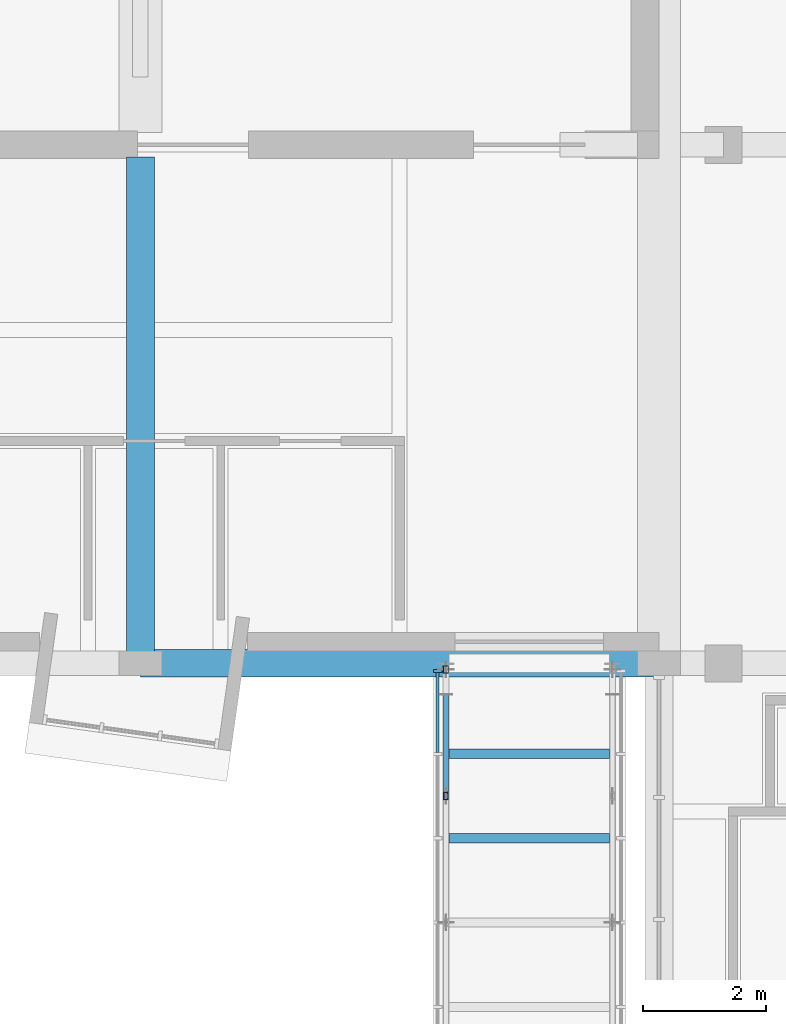
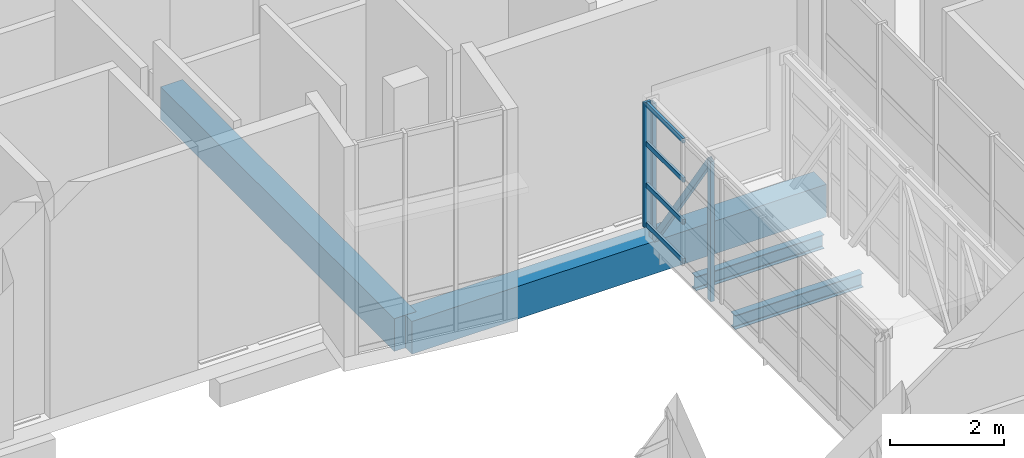
# One storey, part 13 of 67: 8 members, 4 beams, 1 element without a shape of its own.
"""IFC4 building model written with IfcOpenShell, lengths in metres."""

from ifc_helpers import new_model, si_unit, direction, frame, origin, origin_2d, place, context, subcontext, project, spatial, rectangle, hollow_rectangle, i_section, extrude, material, layer, layer_set, material_profile, profile_set, type_object, element, aggregate, save


model = new_model("IFC4")

# Units and contexts
model_context = context("Model", 3, precision=1e-05, world=origin(), true_north=direction((0.0, 1.0)))
body_context = subcontext(model_context, "Body", "Model", "MODEL_VIEW")
ifc_project = project(units=[si_unit("LENGTHUNIT", "METRE"), si_unit("AREAUNIT", "SQUARE_METRE"), si_unit("VOLUMEUNIT", "CUBIC_METRE"), si_unit("PLANEANGLEUNIT", "RADIAN"), si_unit("MASSUNIT", "GRAM", prefix="KILO")], contexts=[model_context])

# Site, building, storey
site_placement = place(None, origin())
site = spatial("IfcSite", under=ifc_project, at=site_placement, CompositionType="ELEMENT")
building_placement = place(site_placement, origin())
building = spatial("IfcBuilding", under=site, at=building_placement, Name="Kiln Court Media Centre", CompositionType="ELEMENT")
storey_placement = place(building_placement, frame((0.0, 0.0, 19.800048828125)))
storey = spatial("IfcBuildingStorey", under=building, at=storey_placement, Name="L04", CompositionType="ELEMENT", Elevation=19.800048828125)

# Curtain wall, members
ifc_material_1 = material(Name="Aluminium 6063-T6", Category="aluminium")
ifc_layer = layer(ifc_material_1, 0.1201171875)
ifc_layer_set = layer_set([ifc_layer], Name="Aluminium unitised curtain wall, bridge")
curtain_wall_type = type_object("IfcCurtainWallType", Name="Aluminium unitised curtain wall, bridge", PredefinedType="USERDEFINED", material=ifc_layer_set)
curtain_wall_placement = place(storey_placement, origin())
curtain_wall = element("IfcCurtainWall", 1, at=curtain_wall_placement, inside=storey, type_object=curtain_wall_type, Name="BR-2 side glazing", ObjectType="UNITISED CURTAIN WALL", PredefinedType="USERDEFINED")
ifc_material_2 = material(Name="Aluminium 6063-T6", Category="aluminium")
ifc_material_profile_1 = material_profile(ifc_material_2, rectangle(XDim=0.050048828125, YDim=0.139892578125, at=origin_2d()), Name="Aluminium hall mullion 50x140")
ifc_profile_set_1 = profile_set([ifc_material_profile_1], Name="Aluminium 6063-T6")
member_type_1 = type_object("IfcMemberType", Name="Aluminium hall mullion 50x140", PredefinedType="MULLION", material=ifc_profile_set_1)
member_1_placement = place(storey_placement, frame((30.014892578125, 33.47509765625, 0.0), z_axis=(0.0, 0.0, 1.0), x_axis=(0.0, 1.0, 0.0)))
member_1 = element("IfcMember", 2, at=member_1_placement, type_object=member_type_1, Name="CW4-65 mullion 7", PredefinedType="MULLION", context=body_context, shape_type="SweptSolid", body=[
    extrude(rectangle(XDim=0.050048828125, YDim=0.139892578125, at=origin_2d()), origin(), (0.0, 0.0, 1.0), 2.675048828125),
])
ifc_material_3 = material(Name="Aluminium 6063-T6", Category="aluminium")
ifc_material_profile_2 = material_profile(ifc_material_3, rectangle(XDim=0.050048828125, YDim=0.10009765625, at=origin_2d()), Name="Aluminium hall transom 50x100")
ifc_profile_set_2 = profile_set([ifc_material_profile_2], Name="Aluminium 6063-T6")
member_type_2 = type_object("IfcMemberType", Name="Aluminium hall transom 50x100", PredefinedType="USERDEFINED", material=ifc_profile_set_2)
member_2_placement = place(storey_placement, frame((30.014892578125, 32.158447265625, 0.050048828125), z_axis=(0.0, 1.0, 0.0), x_axis=(-1.0, 0.0, 0.0)))
member_2 = element("IfcMember", 3, at=member_2_placement, type_object=member_type_2, Name="CW4-65 transom 6.1", ObjectType="TRANSOM", PredefinedType="USERDEFINED", context=body_context, shape_type="SweptSolid", body=[
    extrude(rectangle(XDim=0.050048828125, YDim=0.10009765625, at=origin_2d()), origin(), (0.0, 0.0, 1.0), 1.29150390625),
])
member_3_placement = place(storey_placement, frame((30.014892578125, 32.158447265625, 0.8916015625), z_axis=(0.0, 1.0, 0.0), x_axis=(-1.0, 0.0, 0.0)))
member_3 = element("IfcMember", 4, at=member_3_placement, type_object=member_type_2, Name="CW4-65 transom 6.2", ObjectType="TRANSOM", PredefinedType="USERDEFINED", context=body_context, shape_type="SweptSolid", body=[
    extrude(rectangle(XDim=0.050048828125, YDim=0.10009765625, at=origin_2d()), origin(), (0.0, 0.0, 1.0), 1.29150390625),
])
member_4_placement = place(storey_placement, frame((30.014892578125, 32.158447265625, 1.783203125), z_axis=(0.0, 1.0, 0.0), x_axis=(-1.0, 0.0, 0.0)))
member_4 = element("IfcMember", 5, at=member_4_placement, type_object=member_type_2, Name="CW4-65 transom 6.3", ObjectType="TRANSOM", PredefinedType="USERDEFINED", context=body_context, shape_type="SweptSolid", body=[
    extrude(rectangle(XDim=0.050048828125, YDim=0.10009765625, at=origin_2d()), origin(), (0.0, 0.0, 1.0), 1.29150390625),
])
member_5_placement = place(storey_placement, frame((30.014892578125, 32.158447265625, 2.625), z_axis=(0.0, 1.0, 0.0), x_axis=(-1.0, 0.0, 0.0)))
member_5 = element("IfcMember", 6, at=member_5_placement, type_object=member_type_2, Name="CW4-65 transom 6.4", ObjectType="TRANSOM", PredefinedType="USERDEFINED", context=body_context, shape_type="SweptSolid", body=[
    extrude(rectangle(XDim=0.050048828125, YDim=0.10009765625, at=origin_2d()), origin(), (0.0, 0.0, 1.0), 1.29150390625),
])
aggregate(curtain_wall, [member_1, member_2, member_3, member_4, member_5])

# Beams
ifc_material_4 = material(Name="Concrete C30/37", Category="concrete")
ifc_material_profile_3 = material_profile(ifc_material_4, rectangle(XDim=0.449951171875, YDim=0.699951171875, at=origin_2d()), Name="RC 450x700")
ifc_profile_set_3 = profile_set([ifc_material_profile_3], Name="Concrete C30/37")
beam_type_1 = type_object("IfcBeamType", Name="Concrete C30/37 beam 450x700", PredefinedType="BEAM", material=ifc_profile_set_3)
beam_1_placement = place(storey_placement, frame((25.199951171875, 33.60009765625, -0.650146484375), z_axis=(0.0, 1.0, 0.0), x_axis=(-1.0, 0.0, 0.0)))
element("IfcBeam", 7, at=beam_1_placement, inside=storey, type_object=beam_type_1, Name="L04-B-1064", PredefinedType="BEAM", context=body_context, shape_type="SweptSolid", body=[
    extrude(rectangle(XDim=0.449951171875, YDim=0.699951171875, at=origin_2d()), origin(), (0.0, 0.0, 1.0), 8.199951171875),
])
beam_2_placement = place(storey_placement, frame((25.199951171875, 33.60009765625, -0.650146484375), z_axis=(1.0, 0.0, 0.0), x_axis=(0.0, 1.0, 0.0)))
element("IfcBeam", 8, at=beam_2_placement, inside=storey, type_object=beam_type_1, Name="L04-B-1074", PredefinedType="BEAM", context=body_context, shape_type="SweptSolid", body=[
    extrude(rectangle(XDim=0.449951171875, YDim=0.699951171875, at=origin_2d()), origin(), (0.0, 0.0, 1.0), 8.400146484375),
])

# Members
ifc_material_5 = material(Name="Steel ASTM A500 Gr C", Category="steel")
ifc_material_profile_4 = material_profile(ifc_material_5, hollow_rectangle(XDim=0.080078125, YDim=0.1201171875, WallThickness=0.00634765625, at=origin_2d()), Name="RHS 120x80x6.3")
ifc_profile_set_4 = profile_set([ifc_material_profile_4], Name="Steel ASTM A500 Gr C")
member_type_3 = type_object("IfcMemberType", Name="Steel ASTM A500 Gr C RHS 120x80x6.3 bridge truss web", PredefinedType="BRACE", material=ifc_profile_set_4)
for number, where, z_axis, x_axis, name in (
    (9, (30.14990234375, 31.449951171875, -0.400146484375), (0.0, 0.0, 1.0), (1.0, 0.0, 0.0), "bridge BR-2 side truss 1 post 4 bridge truss web"),
    (10, (30.14990234375, 33.5, -0.400146484375), (0.0, 0.0, 1.0), (1.0, 0.0, 0.0), "bridge BR-2 side truss 1 post 5 bridge truss web"),
):
    element("IfcMember", number, at=place(storey_placement, frame(where, z_axis=z_axis, x_axis=x_axis)), inside=storey, type_object=member_type_3, Name=name, PredefinedType="BRACE", context=body_context, shape_type="SweptSolid", body=[
        extrude(hollow_rectangle(XDim=0.080078125, YDim=0.1201171875, WallThickness=0.00634765625, at=origin_2d()), origin(), (0.0, 0.0, 1.0), 3.0),
    ])
member_6_placement = place(storey_placement, frame((30.14990234375, 31.449951171875, 2.599853515625), z_axis=(0.0, 0.564199665614, -0.825638381691), x_axis=(-1.0, 0.0, 0.0)))
element("IfcMember", 11, at=member_6_placement, inside=storey, type_object=member_type_3, Name="bridge BR-2 side truss 1 diagonal 4 bridge truss web", PredefinedType="BRACE", context=body_context, shape_type="SweptSolid", body=[
    extrude(hollow_rectangle(XDim=0.080078125, YDim=0.1201171875, WallThickness=0.00634765625, at=origin_2d()), origin(), (0.0, 0.0, 1.0), 3.633544921875),
])

# Beams
ifc_material_6 = material(Name="Steel ASTM A572 Gr 50", Category="steel")
ifc_material_profile_5 = material_profile(ifc_material_6, i_section(OverallWidth=0.14990234375, OverallDepth=0.300048828125, WebThickness=0.007080078125, FlangeThickness=0.0107421875, FilletRadius=0.014892578125, at=origin_2d()), Name="IPE 300")
ifc_profile_set_5 = profile_set([ifc_material_profile_5], Name="Steel ASTM A572 Gr 50")
beam_type_2 = type_object("IfcBeamType", Name="Steel ASTM A572 Gr 50 IPE 300 bridge floor beam", PredefinedType="BEAM", material=ifc_profile_set_5)
for number, where, z_axis, x_axis, name in (
    (12, (30.199951171875, 30.7666015625, -0.449951171875), (1.0, 0.0, 0.0), (0.0, 1.0, 0.0), "bridge BR-2 floor beam 4 bridge floor beam"),
    (13, (30.199951171875, 32.13330078125, -0.449951171875), (1.0, 0.0, 0.0), (0.0, 1.0, 0.0), "bridge BR-2 floor beam 5 bridge floor beam"),
):
    element("IfcBeam", number, at=place(storey_placement, frame(where, z_axis=z_axis, x_axis=x_axis)), inside=storey, type_object=beam_type_2, Name=name, PredefinedType="BEAM", context=body_context, shape_type="SweptSolid", body=[
        extrude(i_section(OverallWidth=0.14990234375, OverallDepth=0.300048828125, WebThickness=0.007080078125, FlangeThickness=0.0107421875, FilletRadius=0.014892578125, at=origin_2d()), origin(), (0.0, 0.0, 1.0), 2.60009765625),
    ])

save(model, "model.ifc")
